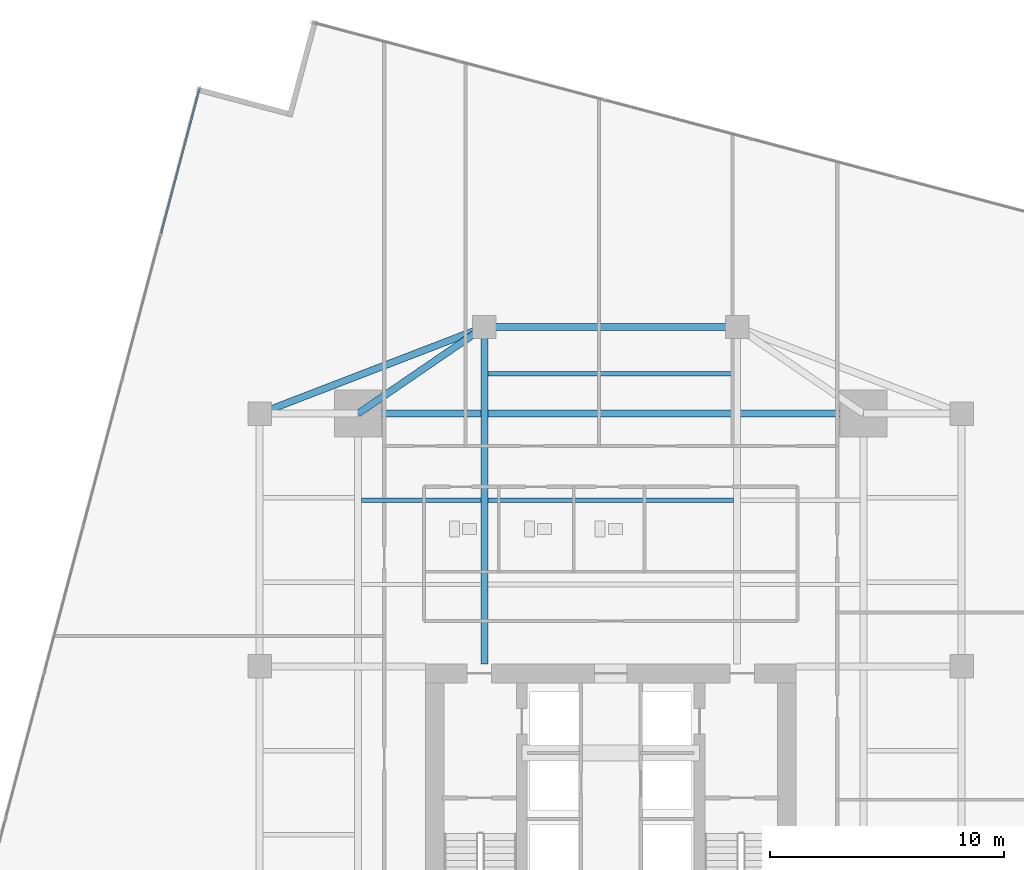
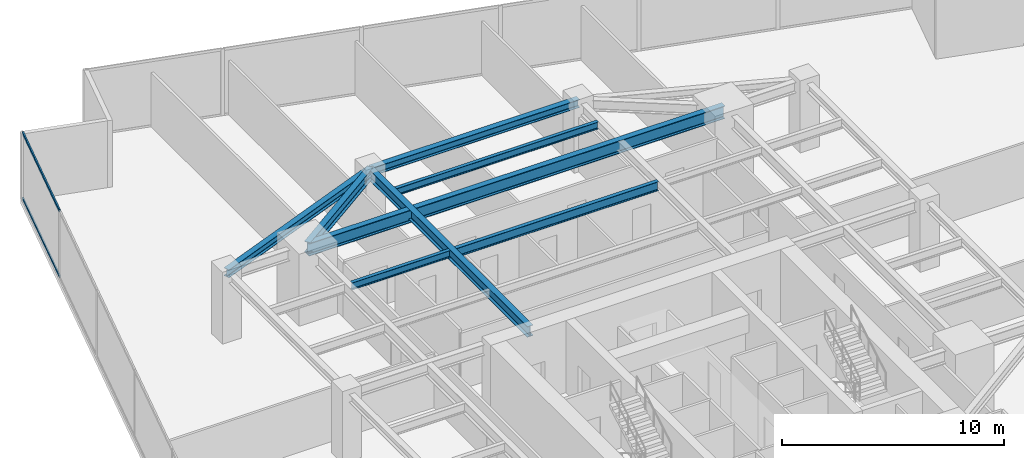
# One storey, part 16 of 27: 8 beams, 2 members, 1 element without a shape of its own.
"""IFC4 building model written with IfcOpenShell, lengths in metres."""

from ifc_helpers import new_model, si_unit, direction, frame, origin, origin_2d, place, context, subcontext, project, spatial, hollow_rectangle, i_section, extrude, source, transform, mapped, material, material_profile, profile_set, type_object, type_shapes, element, aggregate, save


model = new_model("IFC4")

# Units and contexts
model_context = context("Model", 3, precision=1e-05, world=origin(), true_north=direction((0.0, 1.0)))
body_context = subcontext(model_context, "Body", "Model", "MODEL_VIEW")
ifc_project = project(units=[si_unit("LENGTHUNIT", "METRE"), si_unit("AREAUNIT", "SQUARE_METRE"), si_unit("VOLUMEUNIT", "CUBIC_METRE"), si_unit("PLANEANGLEUNIT", "RADIAN"), si_unit("MASSUNIT", "GRAM", prefix="KILO")], contexts=[model_context])

# Site, building, storey
site_placement = place(None, origin())
site = spatial("IfcSite", under=ifc_project, at=site_placement, CompositionType="ELEMENT")
building_placement = place(site_placement, origin())
building = spatial("IfcBuilding", under=site, at=building_placement, Name="Krantzveldt Concourse Tower", CompositionType="ELEMENT")
storey_placement = place(building_placement, frame((0.0, 0.0, 105.85009765625)))
storey = spatial("IfcBuildingStorey", under=building, at=storey_placement, Name="L25", CompositionType="ELEMENT", Elevation=105.85009765625)

# Beams
ifc_material_1 = material(Name="Steel S355J2", Category="steel")
ifc_material_profile_1 = material_profile(ifc_material_1, i_section(OverallWidth=0.300048828125, OverallDepth=0.699951171875, WebThickness=0.01708984375, FlangeThickness=0.031982421875, FilletRadius=0.027099609375, at=origin_2d()), Name="Steel S355J2", Category="steel")
ifc_profile_set_1 = profile_set([ifc_material_profile_1], Name="Steel S355J2 - HEB 700")
beam_type_1 = type_object("IfcBeamType", Name="BM-B-HEB700", PredefinedType="BEAM", material=ifc_profile_set_1)
shared_shape_1 = source(origin(), body_context, "Body", "SweptSolid", [
    extrude(i_section(OverallWidth=0.300048828125, OverallDepth=0.699951171875, WebThickness=0.01708984375, FlangeThickness=0.031982421875, FilletRadius=0.027099609375, at=origin_2d()), origin(), (0.0, 0.0, 1.0), 21.60009765625),
])
type_shapes(beam_type_1, [shared_shape_1])
beam_1_placement = place(storey_placement, frame((25.199951171875, 37.5, 3.31982421875), z_axis=(1.0, 0.0, 0.0), x_axis=(0.0, 1.0, 0.0)))
element("IfcBeam", 1, at=beam_1_placement, inside=storey, type_object=beam_type_1, Name="L25 Tower Girder BG-MN", PredefinedType="BEAM", context=body_context, shape_type="MappedRepresentation", body=[
    mapped(shared_shape_1, transform((0.0, 0.0, 0.0), x_axis=(1.0, 0.0, 0.0), y_axis=(0.0, 1.0, 0.0), z_axis=(0.0, 0.0, 1.0), scale=1.0)),
])
ifc_material_2 = material(Name="Steel S355JR", Category="steel")
ifc_material_profile_2 = material_profile(ifc_material_2, i_section(OverallWidth=0.300048828125, OverallDepth=0.590087890625, WebThickness=0.012939453125, FlangeThickness=0.02490234375, FilletRadius=0.027099609375, at=origin_2d()), Name="Steel S355JR", Category="steel")
ifc_profile_set_2 = profile_set([ifc_material_profile_2], Name="Steel S355JR - HEA 600")
beam_type_2 = type_object("IfcBeamType", Name="BM-B-HEA600", PredefinedType="BEAM", material=ifc_profile_set_2)
shared_shape_2 = source(origin(), body_context, "Body", "SweptSolid", [
    extrude(i_section(OverallWidth=0.300048828125, OverallDepth=0.590087890625, WebThickness=0.012939453125, FlangeThickness=0.02490234375, FilletRadius=0.027099609375, at=origin_2d()), origin(), (0.0, 0.0, 1.0), 14.39990234375),
])
beam_2_placement = place(storey_placement, frame((30.60009765625, 26.800048828125, 3.375), z_axis=(0.0, 1.0, 0.0), x_axis=(-1.0, 0.0, 0.0)))
element("IfcBeam", 2, at=beam_2_placement, inside=storey, type_object=beam_type_2, Name="L25 Tower Girder BG-CNW", PredefinedType="BEAM", context=body_context, shape_type="MappedRepresentation", body=[
    mapped(shared_shape_2, transform((0.0, 0.0, 0.0), x_axis=(1.0, 0.0, 0.0), y_axis=(0.0, 1.0, 0.0), z_axis=(0.0, 0.0, 1.0), scale=1.0)),
])
ifc_material_profile_3 = material_profile(ifc_material_2, i_section(OverallWidth=0.300048828125, OverallDepth=0.43994140625, WebThickness=0.011474609375, FlangeThickness=0.02099609375, FilletRadius=0.027099609375, at=origin_2d()), Name="Steel S355JR", Category="steel")
ifc_profile_set_3 = profile_set([ifc_material_profile_3], Name="Steel S355JR - HEA 450")
beam_type_3 = type_object("IfcBeamType", Name="BM-SP-HEA450", PredefinedType="SPANDREL", material=ifc_profile_set_3)
shared_shape_3 = source(origin(), body_context, "Body", "SweptSolid", [
    extrude(i_section(OverallWidth=0.300048828125, OverallDepth=0.43994140625, WebThickness=0.011474609375, FlangeThickness=0.02099609375, FilletRadius=0.027099609375, at=origin_2d()), origin(), (0.0, 0.0, 1.0), 10.288330078125),
])
beam_3_placement = place(storey_placement, frame((21.0, 37.5, 3.449951171875), z_axis=(0.933097690408, 0.359622997257, 0.0), x_axis=(-0.359622997257, 0.933097690408, 0.0)))
element("IfcBeam", 3, at=beam_3_placement, inside=storey, type_object=beam_type_3, Name="L25 Tower Girder SP-R03", PredefinedType="SPANDREL", context=body_context, shape_type="MappedRepresentation", body=[
    mapped(shared_shape_3, transform((0.0, 0.0, 0.0), x_axis=(1.0, 0.0, 0.0), y_axis=(0.0, 1.0, 0.0), z_axis=(0.0, 0.0, 1.0), scale=1.0)),
])
shared_shape_4 = source(origin(), body_context, "Body", "SweptSolid", [
    extrude(i_section(OverallWidth=0.300048828125, OverallDepth=0.43994140625, WebThickness=0.011474609375, FlangeThickness=0.02099609375, FilletRadius=0.027099609375, at=origin_2d()), origin(), (0.0, 0.0, 1.0), 10.7998046875),
])
type_shapes(beam_type_3, [shared_shape_3, shared_shape_4])
beam_4_placement = place(storey_placement, frame((30.60009765625, 41.199951171875, 3.449951171875), z_axis=(1.0, 0.0, 0.0), x_axis=(0.0, 1.0, 0.0)))
element("IfcBeam", 4, at=beam_4_placement, inside=storey, type_object=beam_type_3, Name="L25 Tower Girder SP-R04", PredefinedType="SPANDREL", context=body_context, shape_type="MappedRepresentation", body=[
    mapped(shared_shape_4, transform((0.0, 0.0, 0.0), x_axis=(1.0, 0.0, 0.0), y_axis=(0.0, 1.0, 0.0), z_axis=(0.0, 0.0, 1.0), scale=1.0)),
])
shared_shape_5 = source(origin(), body_context, "Body", "SweptSolid", [
    extrude(i_section(OverallWidth=0.300048828125, OverallDepth=0.590087890625, WebThickness=0.012939453125, FlangeThickness=0.02490234375, FilletRadius=0.027099609375, at=origin_2d()), origin(), (0.0, 0.0, 1.0), 6.546142578125),
])
type_shapes(beam_type_2, [shared_shape_2, shared_shape_5])
beam_5_placement = place(storey_placement, frame((25.199951171875, 37.5, 3.375), z_axis=(0.824942999484, 0.565215930068, 0.0), x_axis=(-0.565215930068, 0.824942999484, 0.0)))
element("IfcBeam", 5, at=beam_5_placement, inside=storey, type_object=beam_type_2, Name="L25 Tower Girder BR-RL4", PredefinedType="BEAM", context=body_context, shape_type="MappedRepresentation", body=[
    mapped(shared_shape_5, transform((0.0, 0.0, 0.0), x_axis=(1.0, 0.0, 0.0), y_axis=(0.0, 1.0, 0.0), z_axis=(0.0, 0.0, 1.0), scale=1.0)),
])
ifc_material_profile_4 = material_profile(ifc_material_2, i_section(OverallWidth=0.199951171875, OverallDepth=0.5, WebThickness=0.01025390625, FlangeThickness=0.01611328125, FilletRadius=0.02099609375, at=origin_2d()), Name="Steel S355JR", Category="steel")
ifc_profile_set_4 = profile_set([ifc_material_profile_4], Name="Steel S355JR - IPE 500")
beam_type_4 = type_object("IfcBeamType", Name="BM-J-IPE500", PredefinedType="JOIST", material=ifc_profile_set_4)
shared_shape_6 = source(origin(), body_context, "Body", "SweptSolid", [
    extrude(i_section(OverallWidth=0.199951171875, OverallDepth=0.5, WebThickness=0.01025390625, FlangeThickness=0.01611328125, FilletRadius=0.02099609375, at=origin_2d()), origin(), (0.0, 0.0, 1.0), 10.5),
])
type_shapes(beam_type_4, [shared_shape_6])
beam_6_placement = place(storey_placement, frame((30.75, 33.800048828125, 3.419921875), z_axis=(1.0, 0.0, 0.0), x_axis=(0.0, 1.0, 0.0)))
element("IfcBeam", 6, at=beam_6_placement, inside=storey, type_object=beam_type_4, Name="L25 Secondary Floor Joist JN-C2", PredefinedType="JOIST", context=body_context, shape_type="MappedRepresentation", body=[
    mapped(shared_shape_6, transform((0.0, 0.0, 0.0), x_axis=(1.0, 0.0, 0.0), y_axis=(0.0, 1.0, 0.0), z_axis=(0.0, 0.0, 1.0), scale=1.0)),
])
ifc_material_profile_5 = material_profile(ifc_material_2, i_section(OverallWidth=0.179931640625, OverallDepth=0.39990234375, WebThickness=0.008544921875, FlangeThickness=0.013427734375, FilletRadius=0.02099609375, at=origin_2d()), Name="Steel S355JR", Category="steel")
ifc_profile_set_5 = profile_set([ifc_material_profile_5], Name="Steel S355JR - IPE 400")
beam_type_5 = type_object("IfcBeamType", Name="BM-J-IPE400", PredefinedType="JOIST", material=ifc_profile_set_5)
shared_shape_7 = source(origin(), body_context, "Body", "SweptSolid", [
    extrude(i_section(OverallWidth=0.179931640625, OverallDepth=0.39990234375, WebThickness=0.008544921875, FlangeThickness=0.013427734375, FilletRadius=0.02099609375, at=origin_2d()), origin(), (0.0, 0.0, 1.0), 10.5),
])
beam_7_placement = place(storey_placement, frame((30.75, 39.199951171875, 3.469970703125), z_axis=(1.0, 0.0, 0.0), x_axis=(0.0, 1.0, 0.0)))
element("IfcBeam", 7, at=beam_7_placement, inside=storey, type_object=beam_type_5, Name="L25 Secondary Floor Joist JN-C3", PredefinedType="JOIST", context=body_context, shape_type="MappedRepresentation", body=[
    mapped(shared_shape_7, transform((0.0, 0.0, 0.0), x_axis=(1.0, 0.0, 0.0), y_axis=(0.0, 1.0, 0.0), z_axis=(0.0, 0.0, 1.0), scale=1.0)),
])
shared_shape_8 = source(origin(), body_context, "Body", "SweptSolid", [
    extrude(i_section(OverallWidth=0.179931640625, OverallDepth=0.39990234375, WebThickness=0.008544921875, FlangeThickness=0.013427734375, FilletRadius=0.02099609375, at=origin_2d()), origin(), (0.0, 0.0, 1.0), 5.099853515625),
])
type_shapes(beam_type_5, [shared_shape_7, shared_shape_8])
beam_8_placement = place(storey_placement, frame((25.35009765625, 33.800048828125, 3.469970703125), z_axis=(1.0, 0.0, 0.0), x_axis=(0.0, 1.0, 0.0)))
element("IfcBeam", 8, at=beam_8_placement, inside=storey, type_object=beam_type_5, Name="L25 Secondary Floor Joist JN-W2", PredefinedType="JOIST", context=body_context, shape_type="MappedRepresentation", body=[
    mapped(shared_shape_8, transform((0.0, 0.0, 0.0), x_axis=(1.0, 0.0, 0.0), y_axis=(0.0, 1.0, 0.0), z_axis=(0.0, 0.0, 1.0), scale=1.0)),
])

# Curtain wall, members
ifc_material_3 = material(Name="Anodised aluminium 6063-T6", Category="aluminium")
curtain_wall_type = type_object("IfcCurtainWallType", Name="CW2", PredefinedType="USERDEFINED", material=ifc_material_3)
curtain_wall_placement = place(storey_placement, origin())
curtain_wall = element("IfcCurtainWall", 9, at=curtain_wall_placement, inside=storey, type_object=curtain_wall_type, Name="CW-L25-F01", ObjectType="UNITISED CURTAIN WALL", PredefinedType="USERDEFINED")
ifc_material_profile_6 = material_profile(ifc_material_3, hollow_rectangle(XDim=0.070068359375, YDim=0.139892578125, WallThickness=0.0048828125, at=origin_2d()), Name="Anodised aluminium 6063-T6", Category="aluminium")
ifc_profile_set_6 = profile_set([ifc_material_profile_6], Name="Anodised aluminium 6063-T6 - ALU-TRAN 140x70x5")
member_type = type_object("IfcMemberType", Name="CW-TRN-150", PredefinedType="USERDEFINED", material=ifc_profile_set_6)
shared_shape_9 = source(origin(), body_context, "Body", "SweptSolid", [
    extrude(hollow_rectangle(XDim=0.070068359375, YDim=0.139892578125, WallThickness=0.0048828125, at=origin_2d()), origin(), (0.0, 0.0, 1.0), 6.361572265625),
])
type_shapes(member_type, [shared_shape_9])
member_1_placement = place(storey_placement, frame((18.433349609375, 51.3662109375, 0.034912109375), z_axis=(-0.256704687877, -0.966489887801, 0.0), x_axis=(0.966489887801, -0.256704687877, 0.0)))
member_1 = element("IfcMember", 10, at=member_1_placement, type_object=member_type, Name="CW-Z12 transom 1.1", ObjectType="TRANSOM", PredefinedType="USERDEFINED", context=body_context, shape_type="MappedRepresentation", body=[
    mapped(shared_shape_9, transform((0.0, 0.0, 0.0), x_axis=(1.0, 0.0, 0.0), y_axis=(0.0, 1.0, 0.0), z_axis=(0.0, 0.0, 1.0), scale=1.0)),
])
member_2_placement = place(storey_placement, frame((18.433349609375, 51.3662109375, 3.635009765625), z_axis=(-0.256704687877, -0.966489887801, 0.0), x_axis=(0.966489887801, -0.256704687877, 0.0)))
member_2 = element("IfcMember", 11, at=member_2_placement, type_object=member_type, Name="CW-Z12 transom 1.2", ObjectType="TRANSOM", PredefinedType="USERDEFINED", context=body_context, shape_type="MappedRepresentation", body=[
    mapped(shared_shape_9, transform((0.0, 0.0, 0.0), x_axis=(1.0, 0.0, 0.0), y_axis=(0.0, 1.0, 0.0), z_axis=(0.0, 0.0, 1.0), scale=1.0)),
])
aggregate(curtain_wall, [member_1, member_2])

save(model, "model.ifc")
